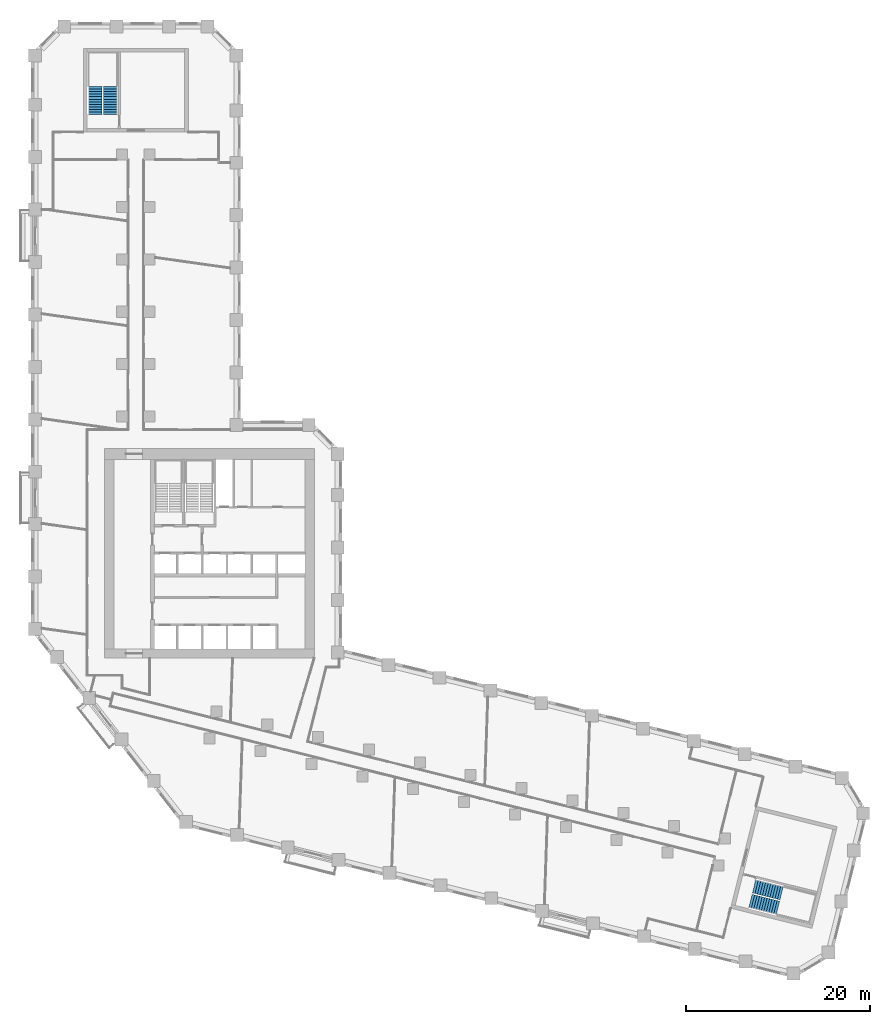
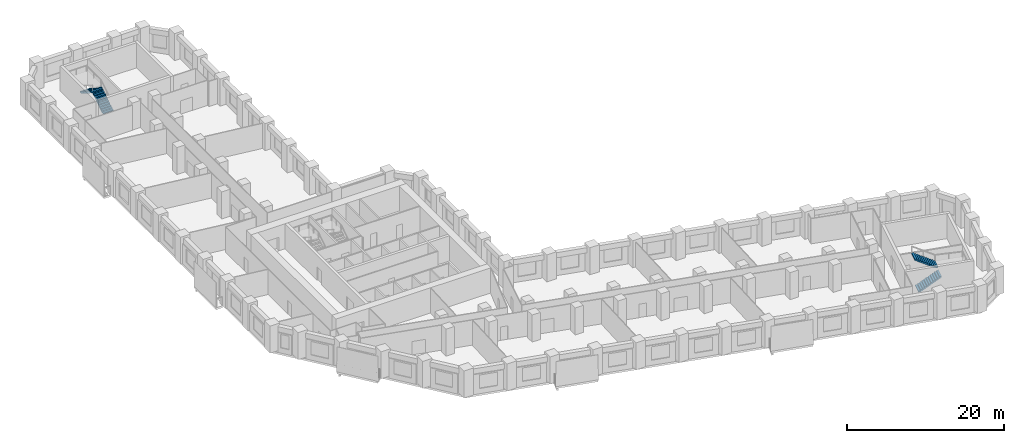
# One storey, part 10 of 11: 4 stair flights, 2 elements without a shape of their own.
"""IFC4 building model written with IfcOpenShell, lengths in metres."""

from ifc_helpers import new_model, si_unit, direction, frame, origin, place, context, subcontext, project, spatial, polyline, outline, extrude, material, type_object, element, aggregate, save


model = new_model("IFC4")

# Units and contexts
model_context = context("Model", 3, precision=1e-05, world=origin(), true_north=direction((0.0, 1.0)))
body_context = subcontext(model_context, "Body", "Model", "MODEL_VIEW")
ifc_project = project(units=[si_unit("LENGTHUNIT", "METRE"), si_unit("AREAUNIT", "SQUARE_METRE"), si_unit("VOLUMEUNIT", "CUBIC_METRE"), si_unit("PLANEANGLEUNIT", "RADIAN"), si_unit("MASSUNIT", "GRAM", prefix="KILO")], contexts=[model_context])

# Site, building, storey
site_placement = place(None, origin())
site = spatial("IfcSite", under=ifc_project, at=site_placement, CompositionType="ELEMENT")
building_placement = place(site_placement, origin())
building = spatial("IfcBuilding", under=site, at=building_placement, Name="Meshkara Civic Tower", CompositionType="ELEMENT")
storey_placement = place(building_placement, frame((0.0, 0.0, 70.800048828125)))
storey = spatial("IfcBuildingStorey", under=building, at=storey_placement, Name="L15", CompositionType="ELEMENT", Elevation=70.800048828125)

# Stair, stair flights
ifc_material_1 = material(Name="Precast concrete C40/50", Category="concrete")
stair_type = type_object("IfcStairType", Name="Exit stair half-turn 24 risers 1500 precast", PredefinedType="HALF_TURN_STAIR", material=ifc_material_1)
stair_1_placement = place(storey_placement, origin())
stair_1 = element("IfcStair", 1, at=stair_1_placement, inside=storey, type_object=stair_type, Name="L15 exit stair A from B2", PredefinedType="HALF_TURN_STAIR")
ifc_material_2 = material(Name="Precast concrete C40/50", Category="concrete")
stair_flight_type = type_object("IfcStairFlightType", Name="Exit stair flight 12 risers 1500 precast", PredefinedType="STRAIGHT", material=ifc_material_2)
stair_flight_1_placement = place(storey_placement, frame((8.625, 73.169921875, 0.0), z_axis=(0.0, 0.0, 1.0), x_axis=(0.0, 1.0, 0.0)))
stair_flight_1 = element("IfcStairFlight", 2, at=stair_flight_1_placement, type_object=stair_flight_type, Name="ESA1 flight 1", NumberOfRisers=12, NumberOfTreads=11, PredefinedType="STRAIGHT", RiserHeight=0.175, TreadLength=0.28, context=body_context, shape_type="SweptSolid", body=[
    extrude(outline(polyline([(0.0, 0.0), (0.0, 0.175048828125), (0.280029296875, 0.175048828125), (0.280029296875, 0.35009765625), (0.56005859375, 0.35009765625), (0.56005859375, 0.52490234375), (0.840087890625, 0.52490234375), (0.840087890625, 0.699951171875), (1.1201171875, 0.699951171875), (1.1201171875, 0.875), (1.39990234375, 0.875), (1.39990234375, 1.050048828125), (1.679931640625, 1.050048828125), (1.679931640625, 1.22509765625), (1.9599609375, 1.22509765625), (1.9599609375, 1.39990234375), (2.239990234375, 1.39990234375), (2.239990234375, 1.574951171875), (2.52001953125, 1.574951171875), (2.52001953125, 1.75), (2.800048828125, 1.75), (2.800048828125, 1.925048828125), (3.080078125, 1.925048828125), (3.080078125, 2.10009765625), (3.080078125, 1.748291015625), (0.28271484375, 0.0), (0.0, 0.0)])), frame((0.0, 0.75, 0.0), z_axis=(0.0, -1.0, 0.0), x_axis=(1.0, 0.0, 0.0)), (0.0, 0.0, 1.0), 1.5),
])
stair_flight_2_placement = place(storey_placement, frame((6.97509765625, 76.25, 2.099853515625), z_axis=(0.0, 0.0, 1.0), x_axis=(0.0, -1.0, 0.0)))
stair_flight_2 = element("IfcStairFlight", 3, at=stair_flight_2_placement, type_object=stair_flight_type, Name="ESA1 flight 2", NumberOfRisers=12, NumberOfTreads=11, PredefinedType="STRAIGHT", RiserHeight=0.175, TreadLength=0.28, context=body_context, shape_type="SweptSolid", body=[
    extrude(outline(polyline([(0.0, 0.0), (0.0, 0.175048828125), (0.280029296875, 0.175048828125), (0.280029296875, 0.35009765625), (0.56005859375, 0.35009765625), (0.56005859375, 0.52490234375), (0.840087890625, 0.52490234375), (0.840087890625, 0.699951171875), (1.1201171875, 0.699951171875), (1.1201171875, 0.875), (1.39990234375, 0.875), (1.39990234375, 1.050048828125), (1.679931640625, 1.050048828125), (1.679931640625, 1.22509765625), (1.9599609375, 1.22509765625), (1.9599609375, 1.39990234375), (2.239990234375, 1.39990234375), (2.239990234375, 1.574951171875), (2.52001953125, 1.574951171875), (2.52001953125, 1.75), (2.800048828125, 1.75), (2.800048828125, 1.925048828125), (3.080078125, 1.925048828125), (3.080078125, 2.10009765625), (3.080078125, 1.748291015625), (0.28271484375, 0.0), (0.0, 0.0)])), frame((0.0, 0.75, 0.0), z_axis=(0.0, -1.0, 0.0), x_axis=(1.0, 0.0, 0.0)), (0.0, 0.0, 1.0), 1.5),
])
aggregate(stair_1, [stair_flight_1, stair_flight_2])

stair_2_placement = place(storey_placement, origin())
stair_2 = element("IfcStair", 4, at=stair_2_placement, inside=storey, type_object=stair_type, Name="L15 exit stair B from B2", PredefinedType="HALF_TURN_STAIR")
stair_flight_3_placement = place(storey_placement, frame((78.214599609375, -12.3125, 0.0), z_axis=(0.0, 0.0, 1.0), x_axis=(0.970260066579, -0.242064873955, 0.0)))
stair_flight_3 = element("IfcStairFlight", 5, at=stair_flight_3_placement, type_object=stair_flight_type, Name="ESB1 flight 1", NumberOfRisers=12, NumberOfTreads=11, PredefinedType="STRAIGHT", RiserHeight=0.175, TreadLength=0.28, context=body_context, shape_type="SweptSolid", body=[
    extrude(outline(polyline([(0.0, 0.0), (0.0, 0.175048828125), (0.280029296875, 0.175048828125), (0.280029296875, 0.35009765625), (0.56005859375, 0.35009765625), (0.56005859375, 0.52490234375), (0.840087890625, 0.52490234375), (0.840087890625, 0.699951171875), (1.1201171875, 0.699951171875), (1.1201171875, 0.875), (1.39990234375, 0.875), (1.39990234375, 1.050048828125), (1.679931640625, 1.050048828125), (1.679931640625, 1.22509765625), (1.9599609375, 1.22509765625), (1.9599609375, 1.39990234375), (2.239990234375, 1.39990234375), (2.239990234375, 1.574951171875), (2.52001953125, 1.574951171875), (2.52001953125, 1.75), (2.800048828125, 1.75), (2.800048828125, 1.925048828125), (3.080078125, 1.925048828125), (3.080078125, 2.10009765625), (3.080078125, 1.748291015625), (0.28271484375, 0.0), (0.0, 0.0)])), frame((0.0, 0.75, 0.0), z_axis=(0.0, -1.0, 0.0), x_axis=(1.0, 0.0, 0.0)), (0.0, 0.0, 1.0), 1.5),
])
stair_flight_4_placement = place(storey_placement, frame((81.6025390625, -11.457275390625, 2.099853515625), z_axis=(0.0, 0.0, 1.0), x_axis=(-0.970260066579, 0.242064873955, 0.0)))
stair_flight_4 = element("IfcStairFlight", 6, at=stair_flight_4_placement, type_object=stair_flight_type, Name="ESB1 flight 2", NumberOfRisers=12, NumberOfTreads=11, PredefinedType="STRAIGHT", RiserHeight=0.175, TreadLength=0.28, context=body_context, shape_type="SweptSolid", body=[
    extrude(outline(polyline([(0.0, 0.0), (0.0, 0.175048828125), (0.280029296875, 0.175048828125), (0.280029296875, 0.35009765625), (0.56005859375, 0.35009765625), (0.56005859375, 0.52490234375), (0.840087890625, 0.52490234375), (0.840087890625, 0.699951171875), (1.1201171875, 0.699951171875), (1.1201171875, 0.875), (1.39990234375, 0.875), (1.39990234375, 1.050048828125), (1.679931640625, 1.050048828125), (1.679931640625, 1.22509765625), (1.9599609375, 1.22509765625), (1.9599609375, 1.39990234375), (2.239990234375, 1.39990234375), (2.239990234375, 1.574951171875), (2.52001953125, 1.574951171875), (2.52001953125, 1.75), (2.800048828125, 1.75), (2.800048828125, 1.925048828125), (3.080078125, 1.925048828125), (3.080078125, 2.10009765625), (3.080078125, 1.748291015625), (0.28271484375, 0.0), (0.0, 0.0)])), frame((0.0, 0.75, 0.0), z_axis=(0.0, -1.0, 0.0), x_axis=(1.0, 0.0, 0.0)), (0.0, 0.0, 1.0), 1.5),
])
aggregate(stair_2, [stair_flight_3, stair_flight_4])

save(model, "model.ifc")
